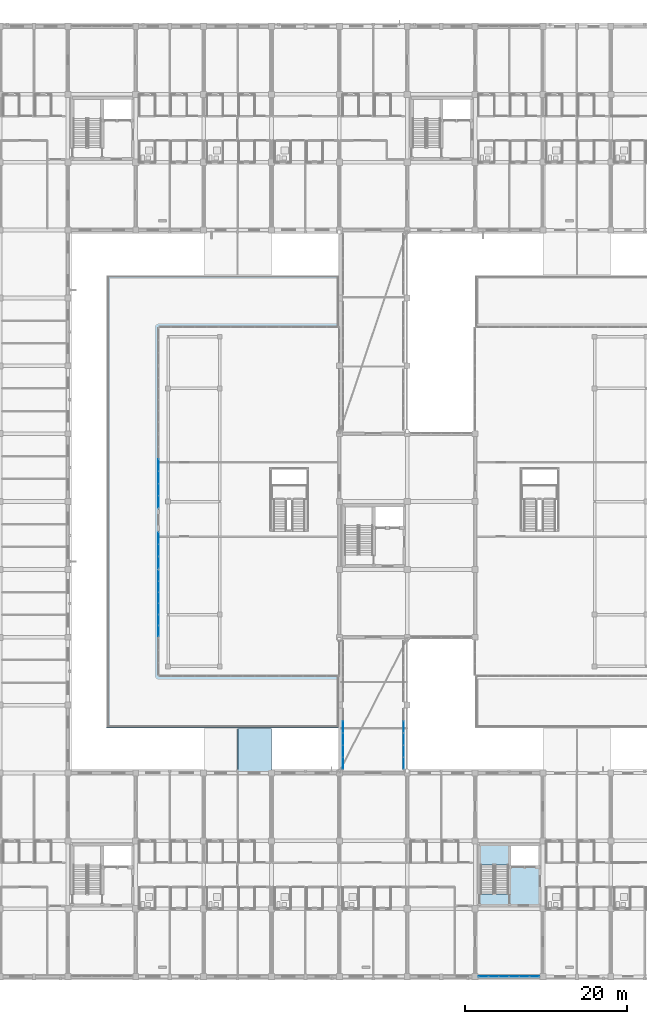
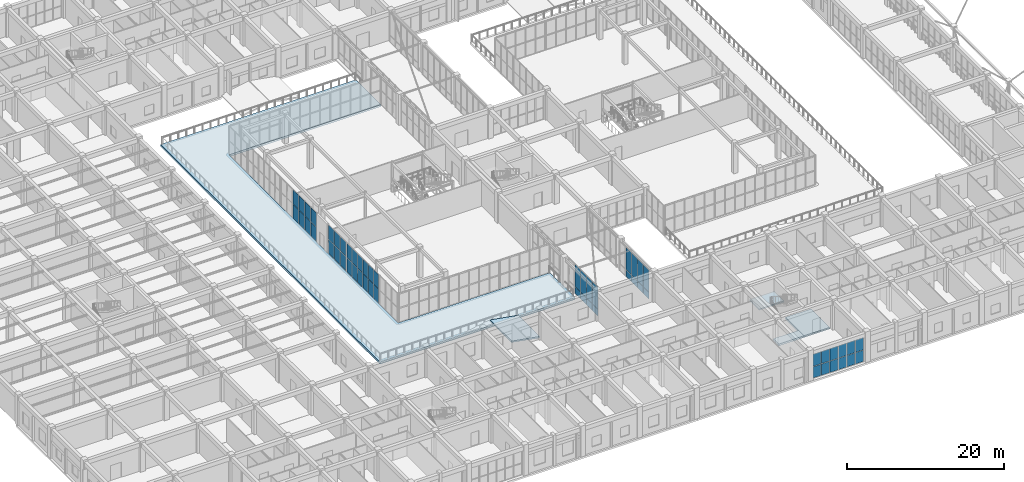
# One storey, part 103 of 158: 54 plates, 5 slabs, 7 elements without a shape of their own.
"""IFC4 building model written with IfcOpenShell, lengths in metres."""

import ifcopenshell
import ifcopenshell.guid

model = None  # the IFC model being written
_history = None  # IfcOwnerHistory: only IFC2X3 demands one
_inside = {}  # id of a spatial element -> (the spatial element, [elements in it])
_under = {}  # id of a project, library or spatial element -> (it, [spatial elements below it])
_declared = {}  # id of a project -> (the project, [libraries it declares])
_typed = {}  # id of a type object -> (the type object, [elements of that type])
_made_of = {}  # id of a material, layer set ... -> (it, [elements and type objects made of it])


def new_model(schema):
    """Start an empty IFC model of exactly this schema.

    Asked for "IFC4X3", IfcOpenShell would pick the latest addendum, in which some entities
    have other attributes; the version numbers below select the first issue.
    IFC2X3 requires an IfcOwnerHistory on every rooted entity: one is made here for all.
    """
    global model, _history
    if schema == "IFC4X3":
        model = ifcopenshell.file(schema_version=(4, 3, 0, 0))
    else:
        model = ifcopenshell.file(schema=schema)
    _inside.clear()
    _under.clear()
    _declared.clear()
    _typed.clear()
    _made_of.clear()
    _history = None
    if model.schema == "IFC2X3":
        org = make("IfcOrganization", Name="unknown")
        user = make(
            "IfcPersonAndOrganization",
            ThePerson=make("IfcPerson", FamilyName="unknown"),
            TheOrganization=org,
        )
        app = make(
            "IfcApplication",
            ApplicationDeveloper=org,
            Version="unknown",
            ApplicationFullName="unknown",
            ApplicationIdentifier="unknown",
        )
        _history = make(
            "IfcOwnerHistory",
            OwningUser=user,
            OwningApplication=app,
            ChangeAction="ADDED",
            CreationDate=0,
        )
    return model


def make(cls, **values):
    """One entity of the class cls with the attributes given. An attribute that is None is left unset."""
    return model.create_entity(
        cls, **{name: value for name, value in values.items() if value is not None}
    )


def rooted(cls, **values):
    """An entity with a GlobalId (a new one), such as an element, a storey or a relation."""
    return make(cls, GlobalId=ifcopenshell.guid.new(), OwnerHistory=_history, **values)


def si_unit(unit_type, name, prefix=None):
    """IfcSIUnit, for example si_unit("LENGTHUNIT", "METRE", prefix="MILLI")."""
    return make("IfcSIUnit", UnitType=unit_type, Prefix=prefix, Name=name)


def assignment(units):
    """IfcUnitAssignment: the units of a project."""
    return None if units is None else make("IfcUnitAssignment", Units=units)


def point(xyz):
    """IfcCartesianPoint."""
    return None if xyz is None else make("IfcCartesianPoint", Coordinates=xyz)


def direction(xyz):
    """IfcDirection."""
    return None if xyz is None else make("IfcDirection", DirectionRatios=xyz)


def frame(location, z_axis=None, x_axis=None):
    """IfcAxis2Placement3D, a coordinate frame: its origin and axes. An axis left out is left unset."""
    return make(
        "IfcAxis2Placement3D",
        Location=point(location),
        Axis=direction(z_axis),
        RefDirection=direction(x_axis),
    )


def frame_2d(location, x_axis=None):
    """IfcAxis2Placement2D, a coordinate frame in the plane: its origin and x axis."""
    return make(
        "IfcAxis2Placement2D", Location=point(location), RefDirection=direction(x_axis)
    )


def origin():
    """The frame at (0, 0, 0) with its axes left unset."""
    return frame((0.0, 0.0, 0.0))


def origin_2d():
    """The frame at (0, 0) in the plane with its x axis left unset."""
    return frame_2d((0.0, 0.0))


def place(relative_to, where):
    """IfcLocalPlacement: puts the frame where relative to a parent placement (None: the world)."""
    return make(
        "IfcLocalPlacement", PlacementRelTo=relative_to, RelativePlacement=where
    )


def context(
    kind, dimensions, precision=None, world=None, true_north=None, identifier=None
):
    """IfcGeometricRepresentationContext, for example the 3D "Model" context."""
    return make(
        "IfcGeometricRepresentationContext",
        ContextIdentifier=identifier,
        ContextType=kind,
        CoordinateSpaceDimension=dimensions,
        Precision=precision,
        WorldCoordinateSystem=world,
        TrueNorth=true_north,
    )


def subcontext(parent, identifier, kind, view, scale=None):
    """IfcGeometricRepresentationSubContext, for example "Body" below "Model"."""
    return make(
        "IfcGeometricRepresentationSubContext",
        ContextIdentifier=identifier,
        ContextType=kind,
        ParentContext=parent,
        TargetScale=scale,
        TargetView=view,
    )


def project(units=None, contexts=None):
    """IfcProject with its units and contexts."""
    return rooted(
        "IfcProject",
        Name="project",
        RepresentationContexts=contexts,
        UnitsInContext=assignment(units),
    )


def spatial(cls, under=None, at=None, **own):
    """A site, building, storey or space (cls), placed at a placement, below another one or the project."""
    s = rooted(cls, ObjectPlacement=at, **own)
    if under is not None:
        _under.setdefault(under.id(), (under, []))[1].append(s)
    return s


def polyline(points):
    """IfcPolyline through the points."""
    return make("IfcPolyline", Points=[point(p) for p in points])


def profile(cls, at=None, kind="AREA", **sizes):
    """A parametric profile (cls). Its sizes go by their IFC names, for example OverallWidth=200.0."""
    return make(cls, ProfileType=kind, Position=at, **sizes)


def rectangle(**sizes):
    """IfcRectangleProfileDef."""
    return profile("IfcRectangleProfileDef", **sizes)


def outline(outer, holes=None, kind="AREA"):
    """IfcArbitraryClosedProfileDef: a profile drawn as a closed curve; with holes, ...WithVoids."""
    if holes is None:
        return make("IfcArbitraryClosedProfileDef", ProfileType=kind, OuterCurve=outer)
    return make(
        "IfcArbitraryProfileDefWithVoids",
        ProfileType=kind,
        OuterCurve=outer,
        InnerCurves=holes,
    )


def extrude(swept, where, along, depth):
    """IfcExtrudedAreaSolid: the profile swept, set in the frame where, extruded along a direction by depth."""
    return make(
        "IfcExtrudedAreaSolid",
        SweptArea=swept,
        Position=where,
        ExtrudedDirection=direction(along),
        Depth=depth,
    )


def shape(context_of_items, identifier, shape_type, items):
    """IfcShapeRepresentation: the items that make up one representation, for example the "Body"."""
    return make(
        "IfcShapeRepresentation",
        ContextOfItems=context_of_items,
        RepresentationIdentifier=identifier,
        RepresentationType=shape_type,
        Items=items,
    )


def material(Name=None, Category=None):
    """IfcMaterial."""
    return make("IfcMaterial", Name=Name, Category=Category)


def layer(
    of_material, thickness, ventilated=None, Name=None, Category=None, Priority=None
):
    """IfcMaterialLayer: one layer of a wall or slab, of a material (None: an air gap)."""
    return make(
        "IfcMaterialLayer",
        Material=of_material,
        LayerThickness=thickness,
        IsVentilated=ventilated,
        Name=Name,
        Category=Category,
        Priority=Priority,
    )


def layer_set(layers, Name=None):
    """IfcMaterialLayerSet."""
    return make("IfcMaterialLayerSet", MaterialLayers=layers, LayerSetName=Name)


def made_of(thing, what):
    """Note that an element or type object is made of a material, layer set ...; save() writes the relation."""
    if what is not None:
        _made_of.setdefault(what.id(), (what, []))[1].append(thing)
    return thing


def type_object(cls, material=None, **own):
    """A type object (cls), such as IfcWallType, which elements share."""
    return made_of(rooted(cls, **own), material)


def element(
    cls,
    number,
    at=None,
    inside=None,
    cuts=None,
    type_object=None,
    material=None,
    context=None,
    identifier="Body",
    shape_type=None,
    held_by="IfcProductDefinitionShape",
    body=None,
    shapes=None,
    **own,
):
    """One element of the class cls, such as IfcWall. Its Tag is "e" and its number.

    at: its placement. inside: the storey or other place that contains it. cuts: it is an
    opening in that element (IfcRelVoidsElement). A single representation is given by context,
    identifier, shape_type and body (its items); several are given by shapes. held_by: the class
    of the entity that holds the representations. save() writes the other relations.
    """
    e = rooted(cls, Tag="e%d" % number, ObjectPlacement=at, **own)
    if body is not None:
        shapes = [shape(context, identifier, shape_type, body)]
    if shapes is not None:
        e.Representation = make(held_by, Representations=shapes)
    if inside is not None:
        _inside.setdefault(inside.id(), (inside, []))[1].append(e)
    if cuts is not None:
        rooted(
            "IfcRelVoidsElement", RelatingBuildingElement=cuts, RelatedOpeningElement=e
        )
    if type_object is not None:
        _typed.setdefault(type_object.id(), (type_object, []))[1].append(e)
    return made_of(e, material)


def aggregate(whole, parts):
    """IfcRelAggregates: a whole, such as a stair, and the parts it consists of."""
    return rooted("IfcRelAggregates", RelatingObject=whole, RelatedObjects=parts)


def save(model, path):
    """Write the relations noted so far, then the file.

    IfcRelAggregates (storeys below a building ...), IfcRelContainedInSpatialStructure (elements
    in a storey), IfcRelDefinesByType, IfcRelAssociatesMaterial and IfcRelDeclares: one each for
    every whole, place, type object, material and project.
    """
    for whole, parts in _under.values():
        aggregate(whole, parts)
    for where, things in _inside.values():
        rooted(
            "IfcRelContainedInSpatialStructure",
            RelatedElements=things,
            RelatingStructure=where,
        )
    for kind, things in _typed.values():
        rooted("IfcRelDefinesByType", RelatedObjects=things, RelatingType=kind)
    for what, things in _made_of.values():
        rooted("IfcRelAssociatesMaterial", RelatedObjects=things, RelatingMaterial=what)
    for by, libraries in _declared.values():
        rooted("IfcRelDeclares", RelatingContext=by, RelatedDefinitions=libraries)
    model.write(path)


model = new_model("IFC4")

# Units and contexts
model_context = context("Model", 3, precision=1e-05, world=origin(), true_north=direction((0.0, 1.0)))
body_context = subcontext(model_context, "Body", "Model", "MODEL_VIEW")
ifc_project = project(units=[si_unit("LENGTHUNIT", "METRE"), si_unit("AREAUNIT", "SQUARE_METRE"), si_unit("VOLUMEUNIT", "CUBIC_METRE"), si_unit("PLANEANGLEUNIT", "RADIAN"), si_unit("MASSUNIT", "GRAM", prefix="KILO")], contexts=[model_context])

# Site, building, storey
site_placement = place(None, origin())
site = spatial("IfcSite", under=ifc_project, at=site_placement, CompositionType="ELEMENT")
building_placement = place(site_placement, origin())
building = spatial("IfcBuilding", under=site, at=building_placement, Name="Trelvath General Hospital", CompositionType="ELEMENT")
storey_placement = place(building_placement, frame((0.0, 0.0, 8.10009765625)))
storey = spatial("IfcBuildingStorey", under=building, at=storey_placement, Name="L02", CompositionType="ELEMENT", Elevation=8.10009765625)

# Curtain wall, plates
ifc_material_1 = material(Name="Anodised aluminium and low-E glass", Category="aluminium")
ifc_layer_1 = layer(ifc_material_1, 0.159912109375)
ifc_layer_set_1 = layer_set([ifc_layer_1], Name="Anodised aluminium and low-E glass")
curtain_wall_type_1 = type_object("IfcCurtainWallType", Name="CW Facade 757 386 16", PredefinedType="USERDEFINED", material=ifc_layer_set_1)
curtain_wall_1_placement = place(storey_placement, origin())
curtain_wall_1 = element("IfcCurtainWall", 1, at=curtain_wall_1_placement, inside=storey, type_object=curtain_wall_type_1, Name="Facade Curtain Wall CW-044", ObjectType="Unitised Glazed Curtain Wall", PredefinedType="USERDEFINED")
ifc_material_2 = material(Name="Low-E laminated glass", Category="glass")
ifc_layer_2 = layer(ifc_material_2, 0.028076171875)
ifc_layer_set_2 = layer_set([ifc_layer_2], Name="Low-E laminated glass")
plate_type = type_object("IfcPlateType", Name="CurtainPanel Glass28", PredefinedType="CURTAIN_PANEL", material=ifc_layer_set_2)
plate_1_placement = place(storey_placement, frame((99.7392578125, 0.0, 0.06005859375), z_axis=(0.0, 0.0, 1.0), x_axis=(-1.0, 0.0, 0.0)))
plate_1 = element("IfcPlate", 2, at=plate_1_placement, type_object=plate_type, Name="CW-044 panel 1.1", PredefinedType="CURTAIN_PANEL", context=body_context, shape_type="SweptSolid", body=[
    extrude(rectangle(XDim=1.171630859375, YDim=0.028076171875, at=origin_2d()), origin(), (0.0, 0.0, 1.0), 1.762939453125),
])
plate_2_placement = place(storey_placement, frame((99.7392578125, 0.0, 1.8828125), z_axis=(0.0, 0.0, 1.0), x_axis=(-1.0, 0.0, 0.0)))
plate_2 = element("IfcPlate", 3, at=plate_2_placement, type_object=plate_type, Name="CW-044 panel 1.2", PredefinedType="CURTAIN_PANEL", context=body_context, shape_type="SweptSolid", body=[
    extrude(rectangle(XDim=1.171630859375, YDim=0.028076171875, at=origin_2d()), origin(), (0.0, 0.0, 1.0), 1.9169921875),
])
plate_3_placement = place(storey_placement, frame((98.492431640625, 0.0, 0.06005859375), z_axis=(0.0, 0.0, 1.0), x_axis=(-1.0, 0.0, 0.0)))
plate_3 = element("IfcPlate", 4, at=plate_3_placement, type_object=plate_type, Name="CW-044 panel 2.1", PredefinedType="CURTAIN_PANEL", context=body_context, shape_type="SweptSolid", body=[
    extrude(rectangle(XDim=1.20166015625, YDim=0.028076171875, at=origin_2d()), origin(), (0.0, 0.0, 1.0), 1.762939453125),
])
plate_4_placement = place(storey_placement, frame((98.492431640625, 0.0, 1.8828125), z_axis=(0.0, 0.0, 1.0), x_axis=(-1.0, 0.0, 0.0)))
plate_4 = element("IfcPlate", 5, at=plate_4_placement, type_object=plate_type, Name="CW-044 panel 2.2", PredefinedType="CURTAIN_PANEL", context=body_context, shape_type="SweptSolid", body=[
    extrude(rectangle(XDim=1.20166015625, YDim=0.028076171875, at=origin_2d()), origin(), (0.0, 0.0, 1.0), 1.9169921875),
])
plate_5_placement = place(storey_placement, frame((97.230712890625, 0.0, 0.06005859375), z_axis=(0.0, 0.0, 1.0), x_axis=(-1.0, 0.0, 0.0)))
plate_5 = element("IfcPlate", 6, at=plate_5_placement, type_object=plate_type, Name="CW-044 panel 3.1", PredefinedType="CURTAIN_PANEL", context=body_context, shape_type="SweptSolid", body=[
    extrude(rectangle(XDim=1.20166015625, YDim=0.028076171875, at=origin_2d()), origin(), (0.0, 0.0, 1.0), 1.762939453125),
])
plate_6_placement = place(storey_placement, frame((97.230712890625, 0.0, 1.8828125), z_axis=(0.0, 0.0, 1.0), x_axis=(-1.0, 0.0, 0.0)))
plate_6 = element("IfcPlate", 7, at=plate_6_placement, type_object=plate_type, Name="CW-044 panel 3.2", PredefinedType="CURTAIN_PANEL", context=body_context, shape_type="SweptSolid", body=[
    extrude(rectangle(XDim=1.20166015625, YDim=0.028076171875, at=origin_2d()), origin(), (0.0, 0.0, 1.0), 1.9169921875),
])
plate_7_placement = place(storey_placement, frame((95.96923828125, 0.0, 0.06005859375), z_axis=(0.0, 0.0, 1.0), x_axis=(-1.0, 0.0, 0.0)))
plate_7 = element("IfcPlate", 8, at=plate_7_placement, type_object=plate_type, Name="CW-044 panel 4.1", PredefinedType="CURTAIN_PANEL", context=body_context, shape_type="SweptSolid", body=[
    extrude(rectangle(XDim=1.20166015625, YDim=0.028076171875, at=origin_2d()), origin(), (0.0, 0.0, 1.0), 1.762939453125),
])
plate_8_placement = place(storey_placement, frame((95.96923828125, 0.0, 1.8828125), z_axis=(0.0, 0.0, 1.0), x_axis=(-1.0, 0.0, 0.0)))
plate_8 = element("IfcPlate", 9, at=plate_8_placement, type_object=plate_type, Name="CW-044 panel 4.2", PredefinedType="CURTAIN_PANEL", context=body_context, shape_type="SweptSolid", body=[
    extrude(rectangle(XDim=1.20166015625, YDim=0.028076171875, at=origin_2d()), origin(), (0.0, 0.0, 1.0), 1.9169921875),
])
plate_9_placement = place(storey_placement, frame((94.70751953125, 0.0, 0.06005859375), z_axis=(0.0, 0.0, 1.0), x_axis=(-1.0, 0.0, 0.0)))
plate_9 = element("IfcPlate", 10, at=plate_9_placement, type_object=plate_type, Name="CW-044 panel 5.1", PredefinedType="CURTAIN_PANEL", context=body_context, shape_type="SweptSolid", body=[
    extrude(rectangle(XDim=1.20166015625, YDim=0.028076171875, at=origin_2d()), origin(), (0.0, 0.0, 1.0), 1.762939453125),
])
plate_10_placement = place(storey_placement, frame((94.70751953125, 0.0, 1.8828125), z_axis=(0.0, 0.0, 1.0), x_axis=(-1.0, 0.0, 0.0)))
plate_10 = element("IfcPlate", 11, at=plate_10_placement, type_object=plate_type, Name="CW-044 panel 5.2", PredefinedType="CURTAIN_PANEL", context=body_context, shape_type="SweptSolid", body=[
    extrude(rectangle(XDim=1.20166015625, YDim=0.028076171875, at=origin_2d()), origin(), (0.0, 0.0, 1.0), 1.9169921875),
])
plate_11_placement = place(storey_placement, frame((93.4609375, 0.0, 0.06005859375), z_axis=(0.0, 0.0, 1.0), x_axis=(-1.0, 0.0, 0.0)))
plate_11 = element("IfcPlate", 12, at=plate_11_placement, type_object=plate_type, Name="CW-044 panel 6.1", PredefinedType="CURTAIN_PANEL", context=body_context, shape_type="SweptSolid", body=[
    extrude(rectangle(XDim=1.171630859375, YDim=0.028076171875, at=origin_2d()), origin(), (0.0, 0.0, 1.0), 1.762939453125),
])
plate_12_placement = place(storey_placement, frame((93.4609375, 0.0, 1.8828125), z_axis=(0.0, 0.0, 1.0), x_axis=(-1.0, 0.0, 0.0)))
plate_12 = element("IfcPlate", 13, at=plate_12_placement, type_object=plate_type, Name="CW-044 panel 6.2", PredefinedType="CURTAIN_PANEL", context=body_context, shape_type="SweptSolid", body=[
    extrude(rectangle(XDim=1.171630859375, YDim=0.028076171875, at=origin_2d()), origin(), (0.0, 0.0, 1.0), 1.9169921875),
])
aggregate(curtain_wall_1, [plate_1, plate_2, plate_3, plate_4, plate_5, plate_6, plate_7, plate_8, plate_9, plate_10, plate_11, plate_12])

ifc_material_3 = material(Name="Anodised aluminium and low-E glass", Category="aluminium")
ifc_layer_3 = layer(ifc_material_3, 0.139892578125)
ifc_layer_set_3 = layer_set([ifc_layer_3], Name="Anodised aluminium and low-E glass")
curtain_wall_type_2 = type_object("IfcCurtainWallType", Name="CW CrystalCube 824 456 14", PredefinedType="USERDEFINED", material=ifc_layer_set_3)
curtain_wall_2_placement = place(storey_placement, origin())
curtain_wall_2 = element("IfcCurtainWall", 14, at=curtain_wall_2_placement, inside=storey, type_object=curtain_wall_type_2, Name="Crystal Cube Curtain Wall CUBE-W-T1 W2 L02", ObjectType="Unitised Glazed Curtain Wall", PredefinedType="USERDEFINED")
plate_13_placement = place(storey_placement, frame((53.199951171875, 42.78173828125, 0.059814453125), z_axis=(0.0, 0.0, 1.0), x_axis=(0.0, 1.0, 0.0)))
plate_13 = element("IfcPlate", 15, at=plate_13_placement, type_object=plate_type, Name="CW-198 panel 1.1", PredefinedType="CURTAIN_PANEL", context=body_context, shape_type="SweptSolid", body=[
    extrude(rectangle(XDim=1.283447265625, YDim=0.028076171875, at=origin_2d()), origin(), (0.0, 0.0, 1.0), 2.18994140625),
])
plate_14_placement = place(storey_placement, frame((53.199951171875, 42.78173828125, 2.309814453125), z_axis=(0.0, 0.0, 1.0), x_axis=(0.0, 1.0, 0.0)))
plate_14 = element("IfcPlate", 16, at=plate_14_placement, type_object=plate_type, Name="CW-198 panel 1.2", PredefinedType="CURTAIN_PANEL", context=body_context, shape_type="SweptSolid", body=[
    extrude(rectangle(XDim=1.283447265625, YDim=0.028076171875, at=origin_2d()), origin(), (0.0, 0.0, 1.0), 2.18994140625),
])
plate_15_placement = place(storey_placement, frame((53.199951171875, 44.139892578125, 0.059814453125), z_axis=(0.0, 0.0, 1.0), x_axis=(0.0, 1.0, 0.0)))
plate_15 = element("IfcPlate", 17, at=plate_15_placement, type_object=plate_type, Name="CW-198 panel 2.1", PredefinedType="CURTAIN_PANEL", context=body_context, shape_type="SweptSolid", body=[
    extrude(rectangle(XDim=1.313232421875, YDim=0.028076171875, at=origin_2d()), origin(), (0.0, 0.0, 1.0), 2.18994140625),
])
plate_16_placement = place(storey_placement, frame((53.199951171875, 44.139892578125, 2.309814453125), z_axis=(0.0, 0.0, 1.0), x_axis=(0.0, 1.0, 0.0)))
plate_16 = element("IfcPlate", 18, at=plate_16_placement, type_object=plate_type, Name="CW-198 panel 2.2", PredefinedType="CURTAIN_PANEL", context=body_context, shape_type="SweptSolid", body=[
    extrude(rectangle(XDim=1.313232421875, YDim=0.028076171875, at=origin_2d()), origin(), (0.0, 0.0, 1.0), 2.18994140625),
])
plate_17_placement = place(storey_placement, frame((53.199951171875, 45.513427734375, 0.059814453125), z_axis=(0.0, 0.0, 1.0), x_axis=(0.0, 1.0, 0.0)))
plate_17 = element("IfcPlate", 19, at=plate_17_placement, type_object=plate_type, Name="CW-198 panel 3.1", PredefinedType="CURTAIN_PANEL", context=body_context, shape_type="SweptSolid", body=[
    extrude(rectangle(XDim=1.313232421875, YDim=0.028076171875, at=origin_2d()), origin(), (0.0, 0.0, 1.0), 2.18994140625),
])
plate_18_placement = place(storey_placement, frame((53.199951171875, 45.513427734375, 2.309814453125), z_axis=(0.0, 0.0, 1.0), x_axis=(0.0, 1.0, 0.0)))
plate_18 = element("IfcPlate", 20, at=plate_18_placement, type_object=plate_type, Name="CW-198 panel 3.2", PredefinedType="CURTAIN_PANEL", context=body_context, shape_type="SweptSolid", body=[
    extrude(rectangle(XDim=1.313232421875, YDim=0.028076171875, at=origin_2d()), origin(), (0.0, 0.0, 1.0), 2.18994140625),
])
plate_19_placement = place(storey_placement, frame((53.199951171875, 46.88671875, 0.059814453125), z_axis=(0.0, 0.0, 1.0), x_axis=(0.0, 1.0, 0.0)))
plate_19 = element("IfcPlate", 21, at=plate_19_placement, type_object=plate_type, Name="CW-198 panel 4.1", PredefinedType="CURTAIN_PANEL", context=body_context, shape_type="SweptSolid", body=[
    extrude(rectangle(XDim=1.313232421875, YDim=0.028076171875, at=origin_2d()), origin(), (0.0, 0.0, 1.0), 2.18994140625),
])
plate_20_placement = place(storey_placement, frame((53.199951171875, 46.88671875, 2.309814453125), z_axis=(0.0, 0.0, 1.0), x_axis=(0.0, 1.0, 0.0)))
plate_20 = element("IfcPlate", 22, at=plate_20_placement, type_object=plate_type, Name="CW-198 panel 4.2", PredefinedType="CURTAIN_PANEL", context=body_context, shape_type="SweptSolid", body=[
    extrude(rectangle(XDim=1.313232421875, YDim=0.028076171875, at=origin_2d()), origin(), (0.0, 0.0, 1.0), 2.18994140625),
])
plate_21_placement = place(storey_placement, frame((53.199951171875, 48.260009765625, 0.059814453125), z_axis=(0.0, 0.0, 1.0), x_axis=(0.0, 1.0, 0.0)))
plate_21 = element("IfcPlate", 23, at=plate_21_placement, type_object=plate_type, Name="CW-198 panel 5.1", PredefinedType="CURTAIN_PANEL", context=body_context, shape_type="SweptSolid", body=[
    extrude(rectangle(XDim=1.313232421875, YDim=0.028076171875, at=origin_2d()), origin(), (0.0, 0.0, 1.0), 2.18994140625),
])
plate_22_placement = place(storey_placement, frame((53.199951171875, 48.260009765625, 2.309814453125), z_axis=(0.0, 0.0, 1.0), x_axis=(0.0, 1.0, 0.0)))
plate_22 = element("IfcPlate", 24, at=plate_22_placement, type_object=plate_type, Name="CW-198 panel 5.2", PredefinedType="CURTAIN_PANEL", context=body_context, shape_type="SweptSolid", body=[
    extrude(rectangle(XDim=1.313232421875, YDim=0.028076171875, at=origin_2d()), origin(), (0.0, 0.0, 1.0), 2.18994140625),
])
plate_23_placement = place(storey_placement, frame((53.199951171875, 49.618408203125, 0.059814453125), z_axis=(0.0, 0.0, 1.0), x_axis=(0.0, 1.0, 0.0)))
plate_23 = element("IfcPlate", 25, at=plate_23_placement, type_object=plate_type, Name="CW-198 panel 6.1", PredefinedType="CURTAIN_PANEL", context=body_context, shape_type="SweptSolid", body=[
    extrude(rectangle(XDim=1.283447265625, YDim=0.028076171875, at=origin_2d()), origin(), (0.0, 0.0, 1.0), 2.18994140625),
])
plate_24_placement = place(storey_placement, frame((53.199951171875, 49.618408203125, 2.309814453125), z_axis=(0.0, 0.0, 1.0), x_axis=(0.0, 1.0, 0.0)))
plate_24 = element("IfcPlate", 26, at=plate_24_placement, type_object=plate_type, Name="CW-198 panel 6.2", PredefinedType="CURTAIN_PANEL", context=body_context, shape_type="SweptSolid", body=[
    extrude(rectangle(XDim=1.283447265625, YDim=0.028076171875, at=origin_2d()), origin(), (0.0, 0.0, 1.0), 2.18994140625),
])
aggregate(curtain_wall_2, [plate_13, plate_14, plate_15, plate_16, plate_17, plate_18, plate_19, plate_20, plate_21, plate_22, plate_23, plate_24])

ifc_material_4 = material(Name="Anodised aluminium and low-E glass", Category="aluminium")
ifc_layer_4 = layer(ifc_material_4, 0.139892578125)
ifc_layer_set_4 = layer_set([ifc_layer_4], Name="Anodised aluminium and low-E glass")
curtain_wall_type_3 = type_object("IfcCurtainWallType", Name="CW CrystalCube 454 456 14", PredefinedType="USERDEFINED", material=ifc_layer_set_4)
curtain_wall_3_placement = place(storey_placement, origin())
curtain_wall_3 = element("IfcCurtainWall", 27, at=curtain_wall_3_placement, inside=storey, type_object=curtain_wall_type_3, Name="Crystal Cube Curtain Wall CUBE-W-T1 W3 L02", ObjectType="Unitised Glazed Curtain Wall", PredefinedType="USERDEFINED")
plate_25_placement = place(storey_placement, frame((53.199951171875, 51.251708984375, 0.059814453125), z_axis=(0.0, 0.0, 1.0), x_axis=(0.0, 1.0, 0.0)))
plate_25 = element("IfcPlate", 28, at=plate_25_placement, type_object=plate_type, Name="CW-199 panel 1.1", PredefinedType="CURTAIN_PANEL", context=body_context, shape_type="SweptSolid", body=[
    extrude(rectangle(XDim=1.42333984375, YDim=0.028076171875, at=origin_2d()), origin(), (0.0, 0.0, 1.0), 2.18994140625),
])
plate_26_placement = place(storey_placement, frame((53.199951171875, 51.251708984375, 2.309814453125), z_axis=(0.0, 0.0, 1.0), x_axis=(0.0, 1.0, 0.0)))
plate_26 = element("IfcPlate", 29, at=plate_26_placement, type_object=plate_type, Name="CW-199 panel 1.2", PredefinedType="CURTAIN_PANEL", context=body_context, shape_type="SweptSolid", body=[
    extrude(rectangle(XDim=1.42333984375, YDim=0.028076171875, at=origin_2d()), origin(), (0.0, 0.0, 1.0), 2.18994140625),
])
plate_27_placement = place(storey_placement, frame((53.199951171875, 52.75, 0.059814453125), z_axis=(0.0, 0.0, 1.0), x_axis=(0.0, 1.0, 0.0)))
plate_27 = element("IfcPlate", 30, at=plate_27_placement, type_object=plate_type, Name="CW-199 panel 2.1", PredefinedType="CURTAIN_PANEL", context=body_context, shape_type="SweptSolid", body=[
    extrude(rectangle(XDim=1.453369140625, YDim=0.028076171875, at=origin_2d()), origin(), (0.0, 0.0, 1.0), 2.18994140625),
])
plate_28_placement = place(storey_placement, frame((53.199951171875, 52.75, 2.309814453125), z_axis=(0.0, 0.0, 1.0), x_axis=(0.0, 1.0, 0.0)))
plate_28 = element("IfcPlate", 31, at=plate_28_placement, type_object=plate_type, Name="CW-199 panel 2.2", PredefinedType="CURTAIN_PANEL", context=body_context, shape_type="SweptSolid", body=[
    extrude(rectangle(XDim=1.453369140625, YDim=0.028076171875, at=origin_2d()), origin(), (0.0, 0.0, 1.0), 2.18994140625),
])
plate_29_placement = place(storey_placement, frame((53.199951171875, 54.248291015625, 0.059814453125), z_axis=(0.0, 0.0, 1.0), x_axis=(0.0, 1.0, 0.0)))
plate_29 = element("IfcPlate", 32, at=plate_29_placement, type_object=plate_type, Name="CW-199 panel 3.1", PredefinedType="CURTAIN_PANEL", context=body_context, shape_type="SweptSolid", body=[
    extrude(rectangle(XDim=1.42333984375, YDim=0.028076171875, at=origin_2d()), origin(), (0.0, 0.0, 1.0), 2.18994140625),
])
plate_30_placement = place(storey_placement, frame((53.199951171875, 54.248291015625, 2.309814453125), z_axis=(0.0, 0.0, 1.0), x_axis=(0.0, 1.0, 0.0)))
plate_30 = element("IfcPlate", 33, at=plate_30_placement, type_object=plate_type, Name="CW-199 panel 3.2", PredefinedType="CURTAIN_PANEL", context=body_context, shape_type="SweptSolid", body=[
    extrude(rectangle(XDim=1.42333984375, YDim=0.028076171875, at=origin_2d()), origin(), (0.0, 0.0, 1.0), 2.18994140625),
])
aggregate(curtain_wall_3, [plate_25, plate_26, plate_27, plate_28, plate_29, plate_30])

ifc_material_5 = material(Name="Anodised aluminium and low-E glass", Category="aluminium")
ifc_layer_5 = layer(ifc_material_5, 0.139892578125)
ifc_layer_set_5 = layer_set([ifc_layer_5], Name="Anodised aluminium and low-E glass")
curtain_wall_type_4 = type_object("IfcCurtainWallType", Name="CW CrystalCube 914 456 14", PredefinedType="USERDEFINED", material=ifc_layer_set_5)
curtain_wall_4_placement = place(storey_placement, origin())
curtain_wall_4 = element("IfcCurtainWall", 34, at=curtain_wall_4_placement, inside=storey, type_object=curtain_wall_type_4, Name="Crystal Cube Curtain Wall CUBE-W-T1 W5 L02", ObjectType="Unitised Glazed Curtain Wall", PredefinedType="USERDEFINED")
plate_31_placement = place(storey_placement, frame((53.199951171875, 58.756591796875, 0.059814453125), z_axis=(0.0, 0.0, 1.0), x_axis=(0.0, 1.0, 0.0)))
plate_31 = element("IfcPlate", 35, at=plate_31_placement, type_object=plate_type, Name="CW-200 panel 1.1", PredefinedType="CURTAIN_PANEL", context=body_context, shape_type="SweptSolid", body=[
    extrude(rectangle(XDim=1.433349609375, YDim=0.028076171875, at=origin_2d()), origin(), (0.0, 0.0, 1.0), 2.18994140625),
])
plate_32_placement = place(storey_placement, frame((53.199951171875, 58.756591796875, 2.309814453125), z_axis=(0.0, 0.0, 1.0), x_axis=(0.0, 1.0, 0.0)))
plate_32 = element("IfcPlate", 36, at=plate_32_placement, type_object=plate_type, Name="CW-200 panel 1.2", PredefinedType="CURTAIN_PANEL", context=body_context, shape_type="SweptSolid", body=[
    extrude(rectangle(XDim=1.433349609375, YDim=0.028076171875, at=origin_2d()), origin(), (0.0, 0.0, 1.0), 2.18994140625),
])
plate_33_placement = place(storey_placement, frame((53.199951171875, 60.264892578125, 0.059814453125), z_axis=(0.0, 0.0, 1.0), x_axis=(0.0, 1.0, 0.0)))
plate_33 = element("IfcPlate", 37, at=plate_33_placement, type_object=plate_type, Name="CW-200 panel 2.1", PredefinedType="CURTAIN_PANEL", context=body_context, shape_type="SweptSolid", body=[
    extrude(rectangle(XDim=1.46337890625, YDim=0.028076171875, at=origin_2d()), origin(), (0.0, 0.0, 1.0), 2.18994140625),
])
plate_34_placement = place(storey_placement, frame((53.199951171875, 60.264892578125, 2.309814453125), z_axis=(0.0, 0.0, 1.0), x_axis=(0.0, 1.0, 0.0)))
plate_34 = element("IfcPlate", 38, at=plate_34_placement, type_object=plate_type, Name="CW-200 panel 2.2", PredefinedType="CURTAIN_PANEL", context=body_context, shape_type="SweptSolid", body=[
    extrude(rectangle(XDim=1.46337890625, YDim=0.028076171875, at=origin_2d()), origin(), (0.0, 0.0, 1.0), 2.18994140625),
])
plate_35_placement = place(storey_placement, frame((53.199951171875, 61.788330078125, 0.059814453125), z_axis=(0.0, 0.0, 1.0), x_axis=(0.0, 1.0, 0.0)))
plate_35 = element("IfcPlate", 39, at=plate_35_placement, type_object=plate_type, Name="CW-200 panel 3.1", PredefinedType="CURTAIN_PANEL", context=body_context, shape_type="SweptSolid", body=[
    extrude(rectangle(XDim=1.46337890625, YDim=0.028076171875, at=origin_2d()), origin(), (0.0, 0.0, 1.0), 2.18994140625),
])
plate_36_placement = place(storey_placement, frame((53.199951171875, 61.788330078125, 2.309814453125), z_axis=(0.0, 0.0, 1.0), x_axis=(0.0, 1.0, 0.0)))
plate_36 = element("IfcPlate", 40, at=plate_36_placement, type_object=plate_type, Name="CW-200 panel 3.2", PredefinedType="CURTAIN_PANEL", context=body_context, shape_type="SweptSolid", body=[
    extrude(rectangle(XDim=1.46337890625, YDim=0.028076171875, at=origin_2d()), origin(), (0.0, 0.0, 1.0), 2.18994140625),
])
plate_37_placement = place(storey_placement, frame((53.199951171875, 63.311767578125, 0.059814453125), z_axis=(0.0, 0.0, 1.0), x_axis=(0.0, 1.0, 0.0)))
plate_37 = element("IfcPlate", 41, at=plate_37_placement, type_object=plate_type, Name="CW-200 panel 4.1", PredefinedType="CURTAIN_PANEL", context=body_context, shape_type="SweptSolid", body=[
    extrude(rectangle(XDim=1.46337890625, YDim=0.028076171875, at=origin_2d()), origin(), (0.0, 0.0, 1.0), 2.18994140625),
])
plate_38_placement = place(storey_placement, frame((53.199951171875, 63.311767578125, 2.309814453125), z_axis=(0.0, 0.0, 1.0), x_axis=(0.0, 1.0, 0.0)))
plate_38 = element("IfcPlate", 42, at=plate_38_placement, type_object=plate_type, Name="CW-200 panel 4.2", PredefinedType="CURTAIN_PANEL", context=body_context, shape_type="SweptSolid", body=[
    extrude(rectangle(XDim=1.46337890625, YDim=0.028076171875, at=origin_2d()), origin(), (0.0, 0.0, 1.0), 2.18994140625),
])
aggregate(curtain_wall_4, [plate_31, plate_32, plate_33, plate_34, plate_35, plate_36, plate_37, plate_38])

ifc_material_6 = material(Name="Anodised aluminium and low-E glass", Category="aluminium")
ifc_layer_6 = layer(ifc_material_6, 0.139892578125)
ifc_layer_set_6 = layer_set([ifc_layer_6], Name="Anodised aluminium and low-E glass")
curtain_wall_type_5 = type_object("IfcCurtainWallType", Name="CW Bridge 752 461", PredefinedType="USERDEFINED", material=ifc_layer_set_6)
curtain_wall_5_placement = place(storey_placement, origin())
curtain_wall_5 = element("IfcCurtainWall", 43, at=curtain_wall_5_placement, inside=storey, type_object=curtain_wall_type_5, Name="Glazed Bridge Curtain Wall BRG-S-C W L02", ObjectType="Unitised Glazed Curtain Wall", PredefinedType="USERDEFINED")
plate_39_placement = place(storey_placement, frame((76.0400390625, 26.406982421875, 0.06005859375), z_axis=(0.0, 0.0, 1.0), x_axis=(0.0, 1.0, 0.0)))
plate_39 = element("IfcPlate", 44, at=plate_39_placement, type_object=plate_type, Name="CW-226 panel 1.1", PredefinedType="CURTAIN_PANEL", context=body_context, shape_type="SweptSolid", body=[
    extrude(rectangle(XDim=1.4140625, YDim=0.028076171875, at=origin_2d()), origin(), (0.0, 0.0, 1.0), 1.010009765625),
])
plate_40_placement = place(storey_placement, frame((76.0400390625, 26.406982421875, 1.1298828125), z_axis=(0.0, 0.0, 1.0), x_axis=(0.0, 1.0, 0.0)))
plate_40 = element("IfcPlate", 45, at=plate_40_placement, type_object=plate_type, Name="CW-226 panel 1.2", PredefinedType="CURTAIN_PANEL", context=body_context, shape_type="SweptSolid", body=[
    extrude(rectangle(XDim=1.4140625, YDim=0.028076171875, at=origin_2d()), origin(), (0.0, 0.0, 1.0), 3.419921875),
])
plate_41_placement = place(storey_placement, frame((76.0400390625, 27.89599609375, 0.06005859375), z_axis=(0.0, 0.0, 1.0), x_axis=(0.0, 1.0, 0.0)))
plate_41 = element("IfcPlate", 46, at=plate_41_placement, type_object=plate_type, Name="CW-226 panel 2.1", PredefinedType="CURTAIN_PANEL", context=body_context, shape_type="SweptSolid", body=[
    extrude(rectangle(XDim=1.444091796875, YDim=0.028076171875, at=origin_2d()), origin(), (0.0, 0.0, 1.0), 1.010009765625),
])
plate_42_placement = place(storey_placement, frame((76.0400390625, 27.89599609375, 1.1298828125), z_axis=(0.0, 0.0, 1.0), x_axis=(0.0, 1.0, 0.0)))
plate_42 = element("IfcPlate", 47, at=plate_42_placement, type_object=plate_type, Name="CW-226 panel 2.2", PredefinedType="CURTAIN_PANEL", context=body_context, shape_type="SweptSolid", body=[
    extrude(rectangle(XDim=1.444091796875, YDim=0.028076171875, at=origin_2d()), origin(), (0.0, 0.0, 1.0), 3.419921875),
])
plate_43_placement = place(storey_placement, frame((76.0400390625, 29.39990234375, 0.06005859375), z_axis=(0.0, 0.0, 1.0), x_axis=(0.0, 1.0, 0.0)))
plate_43 = element("IfcPlate", 48, at=plate_43_placement, type_object=plate_type, Name="CW-226 panel 3.1", PredefinedType="CURTAIN_PANEL", context=body_context, shape_type="SweptSolid", body=[
    extrude(rectangle(XDim=1.444091796875, YDim=0.028076171875, at=origin_2d()), origin(), (0.0, 0.0, 1.0), 1.010009765625),
])
plate_44_placement = place(storey_placement, frame((76.0400390625, 29.39990234375, 1.1298828125), z_axis=(0.0, 0.0, 1.0), x_axis=(0.0, 1.0, 0.0)))
plate_44 = element("IfcPlate", 49, at=plate_44_placement, type_object=plate_type, Name="CW-226 panel 3.2", PredefinedType="CURTAIN_PANEL", context=body_context, shape_type="SweptSolid", body=[
    extrude(rectangle(XDim=1.444091796875, YDim=0.028076171875, at=origin_2d()), origin(), (0.0, 0.0, 1.0), 3.419921875),
])
plate_45_placement = place(storey_placement, frame((76.0400390625, 30.904052734375, 0.06005859375), z_axis=(0.0, 0.0, 1.0), x_axis=(0.0, 1.0, 0.0)))
plate_45 = element("IfcPlate", 50, at=plate_45_placement, type_object=plate_type, Name="CW-226 panel 4.1", PredefinedType="CURTAIN_PANEL", context=body_context, shape_type="SweptSolid", body=[
    extrude(rectangle(XDim=1.444091796875, YDim=0.028076171875, at=origin_2d()), origin(), (0.0, 0.0, 1.0), 1.010009765625),
])
plate_46_placement = place(storey_placement, frame((76.0400390625, 30.904052734375, 1.1298828125), z_axis=(0.0, 0.0, 1.0), x_axis=(0.0, 1.0, 0.0)))
plate_46 = element("IfcPlate", 51, at=plate_46_placement, type_object=plate_type, Name="CW-226 panel 4.2", PredefinedType="CURTAIN_PANEL", context=body_context, shape_type="SweptSolid", body=[
    extrude(rectangle(XDim=1.444091796875, YDim=0.028076171875, at=origin_2d()), origin(), (0.0, 0.0, 1.0), 3.419921875),
])
aggregate(curtain_wall_5, [plate_39, plate_40, plate_41, plate_42, plate_43, plate_44, plate_45, plate_46])

curtain_wall_6_placement = place(storey_placement, origin())
curtain_wall_6 = element("IfcCurtainWall", 52, at=curtain_wall_6_placement, inside=storey, type_object=curtain_wall_type_5, Name="Glazed Bridge Curtain Wall BRG-S-C E L02", ObjectType="Unitised Glazed Curtain Wall", PredefinedType="USERDEFINED")
plate_47_placement = place(storey_placement, frame((83.56005859375, 30.904052734375, 0.06005859375), z_axis=(0.0, 0.0, 1.0), x_axis=(0.0, -1.0, 0.0)))
plate_47 = element("IfcPlate", 53, at=plate_47_placement, type_object=plate_type, Name="CW-227 panel 2.1", PredefinedType="CURTAIN_PANEL", context=body_context, shape_type="SweptSolid", body=[
    extrude(rectangle(XDim=1.444091796875, YDim=0.028076171875, at=origin_2d()), origin(), (0.0, 0.0, 1.0), 1.010009765625),
])
plate_48_placement = place(storey_placement, frame((83.56005859375, 30.904052734375, 1.1298828125), z_axis=(0.0, 0.0, 1.0), x_axis=(0.0, -1.0, 0.0)))
plate_48 = element("IfcPlate", 54, at=plate_48_placement, type_object=plate_type, Name="CW-227 panel 2.2", PredefinedType="CURTAIN_PANEL", context=body_context, shape_type="SweptSolid", body=[
    extrude(rectangle(XDim=1.444091796875, YDim=0.028076171875, at=origin_2d()), origin(), (0.0, 0.0, 1.0), 3.419921875),
])
plate_49_placement = place(storey_placement, frame((83.56005859375, 29.39990234375, 0.06005859375), z_axis=(0.0, 0.0, 1.0), x_axis=(0.0, -1.0, 0.0)))
plate_49 = element("IfcPlate", 55, at=plate_49_placement, type_object=plate_type, Name="CW-227 panel 3.1", PredefinedType="CURTAIN_PANEL", context=body_context, shape_type="SweptSolid", body=[
    extrude(rectangle(XDim=1.444091796875, YDim=0.028076171875, at=origin_2d()), origin(), (0.0, 0.0, 1.0), 1.010009765625),
])
plate_50_placement = place(storey_placement, frame((83.56005859375, 29.39990234375, 1.1298828125), z_axis=(0.0, 0.0, 1.0), x_axis=(0.0, -1.0, 0.0)))
plate_50 = element("IfcPlate", 56, at=plate_50_placement, type_object=plate_type, Name="CW-227 panel 3.2", PredefinedType="CURTAIN_PANEL", context=body_context, shape_type="SweptSolid", body=[
    extrude(rectangle(XDim=1.444091796875, YDim=0.028076171875, at=origin_2d()), origin(), (0.0, 0.0, 1.0), 3.419921875),
])
plate_51_placement = place(storey_placement, frame((83.56005859375, 27.89599609375, 0.06005859375), z_axis=(0.0, 0.0, 1.0), x_axis=(0.0, -1.0, 0.0)))
plate_51 = element("IfcPlate", 57, at=plate_51_placement, type_object=plate_type, Name="CW-227 panel 4.1", PredefinedType="CURTAIN_PANEL", context=body_context, shape_type="SweptSolid", body=[
    extrude(rectangle(XDim=1.444091796875, YDim=0.028076171875, at=origin_2d()), origin(), (0.0, 0.0, 1.0), 1.010009765625),
])
plate_52_placement = place(storey_placement, frame((83.56005859375, 27.89599609375, 1.1298828125), z_axis=(0.0, 0.0, 1.0), x_axis=(0.0, -1.0, 0.0)))
plate_52 = element("IfcPlate", 58, at=plate_52_placement, type_object=plate_type, Name="CW-227 panel 4.2", PredefinedType="CURTAIN_PANEL", context=body_context, shape_type="SweptSolid", body=[
    extrude(rectangle(XDim=1.444091796875, YDim=0.028076171875, at=origin_2d()), origin(), (0.0, 0.0, 1.0), 3.419921875),
])
plate_53_placement = place(storey_placement, frame((83.56005859375, 26.406982421875, 0.06005859375), z_axis=(0.0, 0.0, 1.0), x_axis=(0.0, -1.0, 0.0)))
plate_53 = element("IfcPlate", 59, at=plate_53_placement, type_object=plate_type, Name="CW-227 panel 5.1", PredefinedType="CURTAIN_PANEL", context=body_context, shape_type="SweptSolid", body=[
    extrude(rectangle(XDim=1.4140625, YDim=0.028076171875, at=origin_2d()), origin(), (0.0, 0.0, 1.0), 1.010009765625),
])
plate_54_placement = place(storey_placement, frame((83.56005859375, 26.406982421875, 1.1298828125), z_axis=(0.0, 0.0, 1.0), x_axis=(0.0, -1.0, 0.0)))
plate_54 = element("IfcPlate", 60, at=plate_54_placement, type_object=plate_type, Name="CW-227 panel 5.2", PredefinedType="CURTAIN_PANEL", context=body_context, shape_type="SweptSolid", body=[
    extrude(rectangle(XDim=1.4140625, YDim=0.028076171875, at=origin_2d()), origin(), (0.0, 0.0, 1.0), 3.419921875),
])
aggregate(curtain_wall_6, [plate_47, plate_48, plate_49, plate_50, plate_51, plate_52, plate_53, plate_54])

# Slabs
ifc_material_7 = material(Name="Concrete C35/45", Category="concrete")
ifc_layer_7 = layer(ifc_material_7, 0.280029296875)
ifc_layer_set_7 = layer_set([ifc_layer_7], Name="Concrete C35/45")
slab_type_1 = type_object("IfcSlabType", Name="FlatSlab Clinical280", PredefinedType="FLOOR", material=ifc_layer_set_7)
slab_1_placement = place(storey_placement, frame((0.0, 0.0, -0.280029296875)))
element("IfcSlab", 61, at=slab_1_placement, inside=storey, type_object=slab_type_1, Name="Core Lobby Slab C5 L02", PredefinedType="FLOOR", context=body_context, shape_type="SweptSolid", body=[
    extrude(outline(polyline([(96.64990234375, 8.800048828125), (100.449951171875, 8.800048828125), (100.449951171875, 13.550048828125), (96.64990234375, 13.550048828125), (96.64990234375, 8.800048828125)])), origin(), (0.0, 0.0, 1.0), 0.280029296875),
])
slab_2_placement = place(storey_placement, frame((0.0, 0.0, -0.280029296875)))
element("IfcSlab", 62, at=slab_2_placement, inside=storey, type_object=slab_type_1, Name="Stair Landing Slab C5 L02", PredefinedType="FLOOR", context=body_context, shape_type="SweptSolid", body=[
    extrude(outline(polyline([(92.949951171875, 8.800048828125), (96.64990234375, 8.800048828125), (96.64990234375, 10.199951171875), (92.949951171875, 10.199951171875), (92.949951171875, 8.800048828125)])), origin(), (0.0, 0.0, 1.0), 0.280029296875),
])
ifc_material_8 = material(Name="Concrete C35/45", Category="concrete")
ifc_layer_8 = layer(ifc_material_8, 0.320068359375)
ifc_layer_set_8 = layer_set([ifc_layer_8], Name="Concrete C35/45")
slab_type_2 = type_object("IfcSlabType", Name="PlantedTerraceSlab 320", PredefinedType="ROOF", material=ifc_layer_set_8)
slab_3_placement = place(storey_placement, frame((0.0, 0.0, -0.320068359375)))
element("IfcSlab", 63, at=slab_3_placement, inside=storey, type_object=slab_type_2, Name="Crystal Cube Planted Terrace TERR-CW-U2 L02", PredefinedType="ROOF", context=body_context, shape_type="SweptSolid", body=[
    extrude(outline(polyline([(46.800048828125, 30.800048828125), (75.60009765625, 30.800048828125), (75.60009765625, 37.199951171875), (53.199951171875, 37.199951171875), (53.199951171875, 80.39990234375), (75.60009765625, 80.39990234375), (75.60009765625, 86.800048828125), (46.800048828125, 86.800048828125), (46.800048828125, 30.800048828125)])), origin(), (0.0, 0.0, 1.0), 0.320068359375),
])
ifc_material_9 = material(Name="Concrete C35/45", Category="concrete")
ifc_layer_9 = layer(ifc_material_9, 0.219970703125)
ifc_layer_set_9 = layer_set([ifc_layer_9], Name="Concrete C35/45")
slab_type_3 = type_object("IfcSlabType", Name="RoofSlab Folded220", PredefinedType="ROOF", material=ifc_layer_set_9)
slab_4_placement = place(storey_placement, frame((63.050048828125, 25.260009765625, 0.949951171875), z_axis=(0.171741769029, 0.0, 0.985142002338), x_axis=(0.985142002338, 0.0, -0.171741769029)))
element("IfcSlab", 64, at=slab_4_placement, inside=storey, type_object=slab_type_3, Name="Glazed Bridge Gable Roof BRG-S-W E", PredefinedType="ROOF", context=body_context, shape_type="SweptSolid", body=[
    extrude(outline(polyline([(0.0, 0.0), (4.192170065531839, 0.0), (4.192170065531839, 5.47998046875), (0.0, 5.47998046875), (0.0, 0.0)])), origin(), (0.0, 0.0, -1.0), 0.219970703125),
])

# Stair, slab
ifc_material_10 = material(Name="Concrete C35/45", Category="concrete")
stair_type = type_object("IfcStairType", Name="Stair Stretcher480", PredefinedType="TWO_STRAIGHT_RUN_STAIR", material=ifc_material_10)
stair_placement = place(storey_placement, origin())
stair = element("IfcStair", 65, at=stair_placement, inside=storey, type_object=stair_type, Name="Exit Stair ST5 L02", PredefinedType="TWO_STRAIGHT_RUN_STAIR")
ifc_material_11 = material(Name="Concrete C35/45", Category="concrete")
ifc_layer_10 = layer(ifc_material_11, 0.199951171875)
ifc_layer_set_10 = layer_set([ifc_layer_10], Name="Concrete C35/45")
slab_type_4 = type_object("IfcSlabType", Name="StairLanding 200", PredefinedType="LANDING", material=ifc_layer_set_10)
slab_5_placement = place(storey_placement, frame((0.0, 0.0, 2.199951171875)))
slab_5 = element("IfcSlab", 66, at=slab_5_placement, type_object=slab_type_4, Name="ST5-L02 landing 1", PredefinedType="LANDING", context=body_context, shape_type="SweptSolid", body=[
    extrude(outline(polyline([(92.9599609375, 13.840087890625), (96.639892578125, 13.840087890625), (96.639892578125, 16.340087890625), (92.9599609375, 16.340087890625), (92.9599609375, 13.840087890625)])), origin(), (0.0, 0.0, 1.0), 0.199951171875),
])
aggregate(stair, [slab_5])

save(model, "model.ifc")
